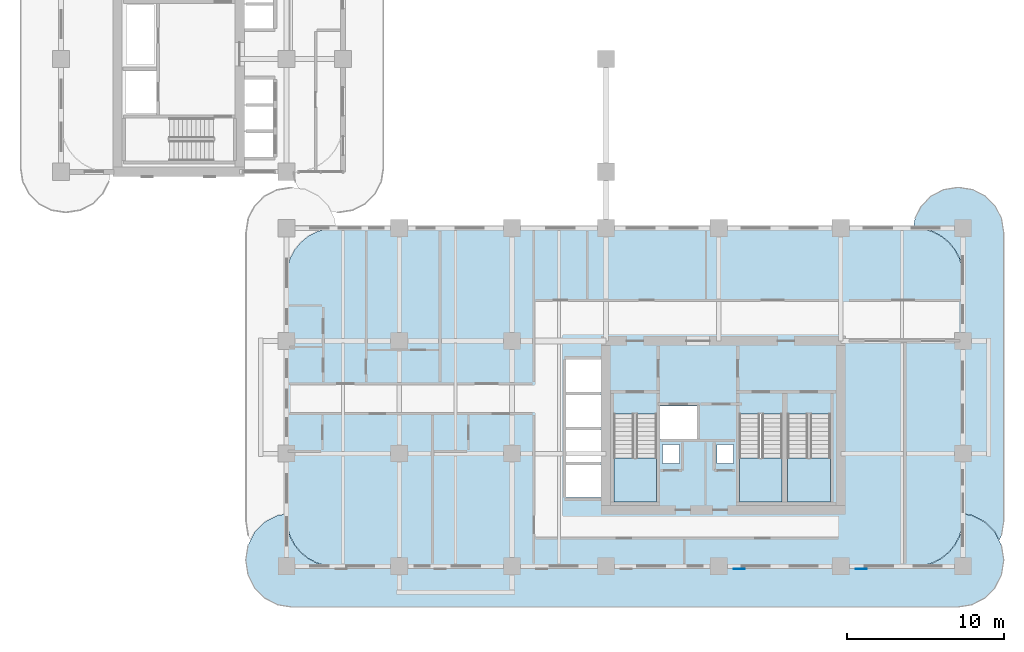
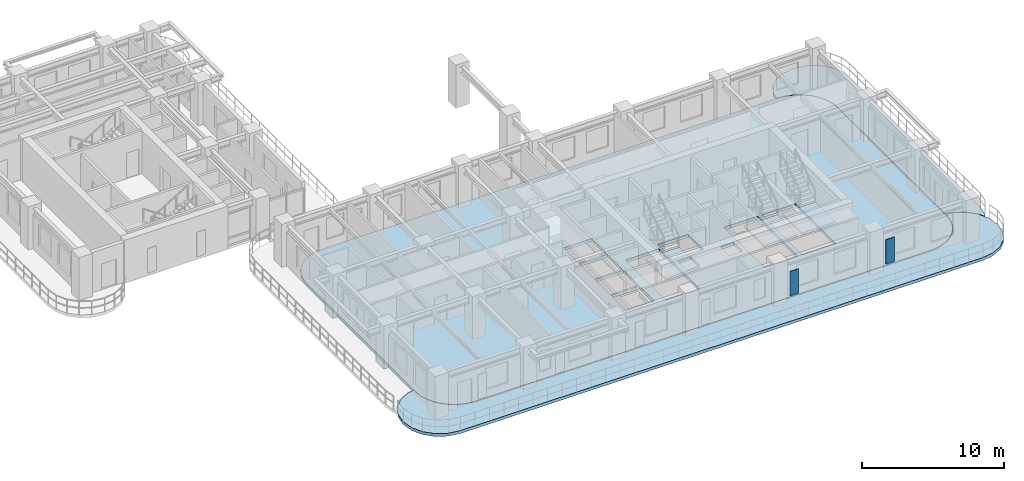
# One storey, part 5 of 19: 6 slabs, 2 plates, 3 elements without a shape of their own.
"""IFC4 building model written with IfcOpenShell, lengths in metres."""

import ifcopenshell
import ifcopenshell.guid

model = None  # the IFC model being written
_history = None  # IfcOwnerHistory: only IFC2X3 demands one
_inside = {}  # id of a spatial element -> (the spatial element, [elements in it])
_under = {}  # id of a project, library or spatial element -> (it, [spatial elements below it])
_declared = {}  # id of a project -> (the project, [libraries it declares])
_typed = {}  # id of a type object -> (the type object, [elements of that type])
_made_of = {}  # id of a material, layer set ... -> (it, [elements and type objects made of it])


def new_model(schema):
    """Start an empty IFC model of exactly this schema.

    Asked for "IFC4X3", IfcOpenShell would pick the latest addendum, in which some entities
    have other attributes; the version numbers below select the first issue.
    IFC2X3 requires an IfcOwnerHistory on every rooted entity: one is made here for all.
    """
    global model, _history
    if schema == "IFC4X3":
        model = ifcopenshell.file(schema_version=(4, 3, 0, 0))
    else:
        model = ifcopenshell.file(schema=schema)
    _inside.clear()
    _under.clear()
    _declared.clear()
    _typed.clear()
    _made_of.clear()
    _history = None
    if model.schema == "IFC2X3":
        org = make("IfcOrganization", Name="unknown")
        user = make(
            "IfcPersonAndOrganization",
            ThePerson=make("IfcPerson", FamilyName="unknown"),
            TheOrganization=org,
        )
        app = make(
            "IfcApplication",
            ApplicationDeveloper=org,
            Version="unknown",
            ApplicationFullName="unknown",
            ApplicationIdentifier="unknown",
        )
        _history = make(
            "IfcOwnerHistory",
            OwningUser=user,
            OwningApplication=app,
            ChangeAction="ADDED",
            CreationDate=0,
        )
    return model


def make(cls, **values):
    """One entity of the class cls with the attributes given. An attribute that is None is left unset."""
    return model.create_entity(
        cls, **{name: value for name, value in values.items() if value is not None}
    )


def rooted(cls, **values):
    """An entity with a GlobalId (a new one), such as an element, a storey or a relation."""
    return make(cls, GlobalId=ifcopenshell.guid.new(), OwnerHistory=_history, **values)


def si_unit(unit_type, name, prefix=None):
    """IfcSIUnit, for example si_unit("LENGTHUNIT", "METRE", prefix="MILLI")."""
    return make("IfcSIUnit", UnitType=unit_type, Prefix=prefix, Name=name)


def derived_unit(unit_type, elements):
    """IfcDerivedUnit: a product of units, each with its exponent."""
    return make(
        "IfcDerivedUnit",
        Elements=[
            make("IfcDerivedUnitElement", Unit=unit, Exponent=power)
            for unit, power in elements
        ],
        UnitType=unit_type,
    )


def assignment(units):
    """IfcUnitAssignment: the units of a project."""
    return None if units is None else make("IfcUnitAssignment", Units=units)


def point(xyz):
    """IfcCartesianPoint."""
    return None if xyz is None else make("IfcCartesianPoint", Coordinates=xyz)


def direction(xyz):
    """IfcDirection."""
    return None if xyz is None else make("IfcDirection", DirectionRatios=xyz)


def frame(location, z_axis=None, x_axis=None):
    """IfcAxis2Placement3D, a coordinate frame: its origin and axes. An axis left out is left unset."""
    return make(
        "IfcAxis2Placement3D",
        Location=point(location),
        Axis=direction(z_axis),
        RefDirection=direction(x_axis),
    )


def frame_2d(location, x_axis=None):
    """IfcAxis2Placement2D, a coordinate frame in the plane: its origin and x axis."""
    return make(
        "IfcAxis2Placement2D", Location=point(location), RefDirection=direction(x_axis)
    )


def origin():
    """The frame at (0, 0, 0) with its axes left unset."""
    return frame((0.0, 0.0, 0.0))


def origin_2d():
    """The frame at (0, 0) in the plane with its x axis left unset."""
    return frame_2d((0.0, 0.0))


def place(relative_to, where):
    """IfcLocalPlacement: puts the frame where relative to a parent placement (None: the world)."""
    return make(
        "IfcLocalPlacement", PlacementRelTo=relative_to, RelativePlacement=where
    )


def context(
    kind, dimensions, precision=None, world=None, true_north=None, identifier=None
):
    """IfcGeometricRepresentationContext, for example the 3D "Model" context."""
    return make(
        "IfcGeometricRepresentationContext",
        ContextIdentifier=identifier,
        ContextType=kind,
        CoordinateSpaceDimension=dimensions,
        Precision=precision,
        WorldCoordinateSystem=world,
        TrueNorth=true_north,
    )


def subcontext(parent, identifier, kind, view, scale=None):
    """IfcGeometricRepresentationSubContext, for example "Body" below "Model"."""
    return make(
        "IfcGeometricRepresentationSubContext",
        ContextIdentifier=identifier,
        ContextType=kind,
        ParentContext=parent,
        TargetScale=scale,
        TargetView=view,
    )


def project(units=None, contexts=None):
    """IfcProject with its units and contexts."""
    return rooted(
        "IfcProject",
        Name="project",
        RepresentationContexts=contexts,
        UnitsInContext=assignment(units),
    )


def spatial(cls, under=None, at=None, **own):
    """A site, building, storey or space (cls), placed at a placement, below another one or the project."""
    s = rooted(cls, ObjectPlacement=at, **own)
    if under is not None:
        _under.setdefault(under.id(), (under, []))[1].append(s)
    return s


def polyline(points):
    """IfcPolyline through the points."""
    return make("IfcPolyline", Points=[point(p) for p in points])


def profile(cls, at=None, kind="AREA", **sizes):
    """A parametric profile (cls). Its sizes go by their IFC names, for example OverallWidth=200.0."""
    return make(cls, ProfileType=kind, Position=at, **sizes)


def rectangle(**sizes):
    """IfcRectangleProfileDef."""
    return profile("IfcRectangleProfileDef", **sizes)


def outline(outer, holes=None, kind="AREA"):
    """IfcArbitraryClosedProfileDef: a profile drawn as a closed curve; with holes, ...WithVoids."""
    if holes is None:
        return make("IfcArbitraryClosedProfileDef", ProfileType=kind, OuterCurve=outer)
    return make(
        "IfcArbitraryProfileDefWithVoids",
        ProfileType=kind,
        OuterCurve=outer,
        InnerCurves=holes,
    )


def extrude(swept, where, along, depth):
    """IfcExtrudedAreaSolid: the profile swept, set in the frame where, extruded along a direction by depth."""
    return make(
        "IfcExtrudedAreaSolid",
        SweptArea=swept,
        Position=where,
        ExtrudedDirection=direction(along),
        Depth=depth,
    )


def shape(context_of_items, identifier, shape_type, items):
    """IfcShapeRepresentation: the items that make up one representation, for example the "Body"."""
    return make(
        "IfcShapeRepresentation",
        ContextOfItems=context_of_items,
        RepresentationIdentifier=identifier,
        RepresentationType=shape_type,
        Items=items,
    )


def source(mapping_origin, context_of_items, identifier, shape_type, items):
    """IfcRepresentationMap: a shape defined once, which mapped items show again and again."""
    return make(
        "IfcRepresentationMap",
        MappingOrigin=mapping_origin,
        MappedRepresentation=shape(context_of_items, identifier, shape_type, items),
    )


def transform(
    local_origin,
    x_axis=None,
    y_axis=None,
    z_axis=None,
    scale=None,
    scale2=None,
    scale3=None,
    uniform=True,
):
    """IfcCartesianTransformationOperator3D, or its non-uniform kind. x_axis, y_axis, z_axis: its Axis1, 2, 3."""
    if uniform:
        return make(
            "IfcCartesianTransformationOperator3D",
            Axis1=direction(x_axis),
            Axis2=direction(y_axis),
            LocalOrigin=point(local_origin),
            Scale=scale,
            Axis3=direction(z_axis),
        )
    return make(
        "IfcCartesianTransformationOperator3DnonUniform",
        Axis1=direction(x_axis),
        Axis2=direction(y_axis),
        LocalOrigin=point(local_origin),
        Scale=scale,
        Axis3=direction(z_axis),
        Scale2=scale2,
        Scale3=scale3,
    )


def mapped(mapping_source, mapping_target):
    """IfcMappedItem: shows the shape of a source again, moved by a transform."""
    return make(
        "IfcMappedItem", MappingSource=mapping_source, MappingTarget=mapping_target
    )


def material(Name=None, Category=None):
    """IfcMaterial."""
    return make("IfcMaterial", Name=Name, Category=Category)


def layer(
    of_material, thickness, ventilated=None, Name=None, Category=None, Priority=None
):
    """IfcMaterialLayer: one layer of a wall or slab, of a material (None: an air gap)."""
    return make(
        "IfcMaterialLayer",
        Material=of_material,
        LayerThickness=thickness,
        IsVentilated=ventilated,
        Name=Name,
        Category=Category,
        Priority=Priority,
    )


def layer_set(layers, Name=None):
    """IfcMaterialLayerSet."""
    return make("IfcMaterialLayerSet", MaterialLayers=layers, LayerSetName=Name)


def made_of(thing, what):
    """Note that an element or type object is made of a material, layer set ...; save() writes the relation."""
    if what is not None:
        _made_of.setdefault(what.id(), (what, []))[1].append(thing)
    return thing


def type_object(cls, material=None, **own):
    """A type object (cls), such as IfcWallType, which elements share."""
    return made_of(rooted(cls, **own), material)


def type_shapes(of_type, sources):
    """Give a type object the sources (RepresentationMaps) that its elements show as mapped items."""
    of_type.RepresentationMaps = sources


def element(
    cls,
    number,
    at=None,
    inside=None,
    cuts=None,
    type_object=None,
    material=None,
    context=None,
    identifier="Body",
    shape_type=None,
    held_by="IfcProductDefinitionShape",
    body=None,
    shapes=None,
    **own,
):
    """One element of the class cls, such as IfcWall. Its Tag is "e" and its number.

    at: its placement. inside: the storey or other place that contains it. cuts: it is an
    opening in that element (IfcRelVoidsElement). A single representation is given by context,
    identifier, shape_type and body (its items); several are given by shapes. held_by: the class
    of the entity that holds the representations. save() writes the other relations.
    """
    e = rooted(cls, Tag="e%d" % number, ObjectPlacement=at, **own)
    if body is not None:
        shapes = [shape(context, identifier, shape_type, body)]
    if shapes is not None:
        e.Representation = make(held_by, Representations=shapes)
    if inside is not None:
        _inside.setdefault(inside.id(), (inside, []))[1].append(e)
    if cuts is not None:
        rooted(
            "IfcRelVoidsElement", RelatingBuildingElement=cuts, RelatedOpeningElement=e
        )
    if type_object is not None:
        _typed.setdefault(type_object.id(), (type_object, []))[1].append(e)
    return made_of(e, material)


def aggregate(whole, parts):
    """IfcRelAggregates: a whole, such as a stair, and the parts it consists of."""
    return rooted("IfcRelAggregates", RelatingObject=whole, RelatedObjects=parts)


def save(model, path):
    """Write the relations noted so far, then the file.

    IfcRelAggregates (storeys below a building ...), IfcRelContainedInSpatialStructure (elements
    in a storey), IfcRelDefinesByType, IfcRelAssociatesMaterial and IfcRelDeclares: one each for
    every whole, place, type object, material and project.
    """
    for whole, parts in _under.values():
        aggregate(whole, parts)
    for where, things in _inside.values():
        rooted(
            "IfcRelContainedInSpatialStructure",
            RelatedElements=things,
            RelatingStructure=where,
        )
    for kind, things in _typed.values():
        rooted("IfcRelDefinesByType", RelatedObjects=things, RelatingType=kind)
    for what, things in _made_of.values():
        rooted("IfcRelAssociatesMaterial", RelatedObjects=things, RelatingMaterial=what)
    for by, libraries in _declared.values():
        rooted("IfcRelDeclares", RelatingContext=by, RelatedDefinitions=libraries)
    model.write(path)


model = new_model("IFC4")

# Units and contexts
model_context = context("Model", 3, precision=1e-05, world=origin(), true_north=direction((0.0, 1.0)))
body_context = subcontext(model_context, "Body", "Model", "MODEL_VIEW")
ifc_project = project(units=[si_unit("LENGTHUNIT", "METRE"), si_unit("AREAUNIT", "SQUARE_METRE"), si_unit("VOLUMEUNIT", "CUBIC_METRE"), si_unit("PLANEANGLEUNIT", "RADIAN"), si_unit("MASSUNIT", "GRAM", prefix="KILO"), si_unit("THERMODYNAMICTEMPERATUREUNIT", "KELVIN"), si_unit("POWERUNIT", "WATT"), derived_unit("THERMALTRANSMITTANCEUNIT", [(si_unit("POWERUNIT", "WATT"), 1), (si_unit("AREAUNIT", "SQUARE_METRE"), -1), (si_unit("THERMODYNAMICTEMPERATUREUNIT", "KELVIN"), -1)])], contexts=[model_context])

# Site, building, storey
site_placement = place(None, origin())
site = spatial("IfcSite", under=ifc_project, at=site_placement, CompositionType="ELEMENT")
building_placement = place(site_placement, origin())
building = spatial("IfcBuilding", under=site, at=building_placement, Name="Zahravan Archway Hotel and Residences", CompositionType="ELEMENT")
storey_placement = place(building_placement, frame((0.0, 0.0, 39.800048828125)))
storey = spatial("IfcBuildingStorey", under=building, at=storey_placement, Name="L08", CompositionType="ELEMENT", Elevation=39.800048828125)

# Slabs
ifc_material_1 = material(Name="Concrete C45/55", Category="concrete")
ifc_layer_1 = layer(ifc_material_1, 0.25, Name="Concrete C45/55", Category="concrete")
ifc_layer_set_1 = layer_set([ifc_layer_1], Name="Concrete C45/55")
slab_type_1 = type_object("IfcSlabType", Name="SLB-BALC-250", PredefinedType="FLOOR", material=ifc_layer_set_1)
slab_1_placement = place(storey_placement, frame((0.0, 0.0, -0.25)))
element("IfcSlab", 1, at=slab_1_placement, inside=storey, type_object=slab_type_1, Name="L08 Wing A South Rounded Balcony Band", PredefinedType="FLOOR", context=body_context, shape_type="SweptSolid", body=[
    extrude(outline(polyline([(58.16162109375, 3.255615234375), (58.98388671875, 2.836669921875), (59.63671875, 2.18408203125), (60.0556640625, 1.361572265625), (60.199951171875, 0.449951171875), (60.199951171875, 0.35009765625), (60.0556640625, -0.5615234375), (59.63671875, -1.384033203125), (58.98388671875, -2.03662109375), (58.16162109375, -2.45556640625), (57.25, -2.60009765625), (14.75, -2.60009765625), (13.83837890625, -2.45556640625), (13.01611328125, -2.03662109375), (12.36328125, -1.384033203125), (11.9443359375, -0.5615234375), (11.800048828125, 0.35009765625), (11.800048828125, 0.449951171875), (11.9443359375, 1.361572265625), (12.36328125, 2.18408203125), (13.01611328125, 2.836669921875), (13.83837890625, 3.255615234375), (14.3798828125, 3.34130859375), (14.3798828125, 3.10009765625), (14.380126953125, 3.097900390625), (14.439697265625, 2.4931640625), (14.43994140625, 2.4912109375), (14.4404296875, 2.489501953125), (14.616943359375, 1.907958984375), (14.617431640625, 1.906005859375), (14.618408203125, 1.904296875), (14.90478515625, 1.368408203125), (14.90576171875, 1.36669921875), (14.906982421875, 1.364990234375), (15.29248046875, 0.895263671875), (15.2939453125, 0.893798828125), (15.29541015625, 0.892578125), (15.764892578125, 0.5068359375), (15.7666015625, 0.505859375), (15.768310546875, 0.5048828125), (16.30419921875, 0.218505859375), (16.305908203125, 0.217529296875), (16.307861328125, 0.216796875), (16.889404296875, 0.04052734375), (16.891357421875, 0.0400390625), (16.893310546875, 0.039794921875), (17.498046875, -0.02001953125), (17.5, -0.02001953125), (54.5, -0.02001953125), (54.501953125, -0.02001953125), (55.106689453125, 0.039794921875), (55.108642578125, 0.0400390625), (55.110595703125, 0.04052734375), (55.692138671875, 0.216796875), (55.694091796875, 0.217529296875), (55.69580078125, 0.218505859375), (56.231689453125, 0.5048828125), (56.2333984375, 0.505859375), (56.235107421875, 0.5068359375), (56.70458984375, 0.892578125), (56.7060546875, 0.893798828125), (56.70751953125, 0.895263671875), (57.093017578125, 1.364990234375), (57.09423828125, 1.36669921875), (57.09521484375, 1.368408203125), (57.381591796875, 1.904296875), (57.382568359375, 1.906005859375), (57.383056640625, 1.907958984375), (57.5595703125, 2.489501953125), (57.56005859375, 2.4912109375), (57.560302734375, 2.4931640625), (57.619873046875, 3.097900390625), (57.6201171875, 3.10009765625), (57.6201171875, 3.34130859375), (58.16162109375, 3.255615234375)])), origin(), (0.0, 0.0, 1.0), 0.25),
])
slab_2_placement = place(storey_placement, frame((0.0, 0.0, -0.25)))
element("IfcSlab", 2, at=slab_2_placement, inside=storey, type_object=slab_type_1, Name="L08 Wing A East Rounded Balcony Band", PredefinedType="FLOOR", context=body_context, shape_type="SweptSolid", body=[
    extrude(outline(polyline([(54.53955078125, 22.230712890625), (54.9443359375, 23.025146484375), (55.57470703125, 23.65576171875), (56.369384765625, 24.060546875), (57.25, 24.199951171875), (57.35009765625, 24.199951171875), (58.230712890625, 24.060546875), (59.025146484375, 23.65576171875), (59.65576171875, 23.025146484375), (60.060546875, 22.230712890625), (60.199951171875, 21.35009765625), (60.199951171875, 2.85009765625), (60.060546875, 1.96923828125), (59.91455078125, 1.6826171875), (59.654296875, 2.193115234375), (59.6533203125, 2.19482421875), (59.652099609375, 2.196533203125), (59.650634765625, 2.197998046875), (58.998046875, 2.8505859375), (58.99658203125, 2.85205078125), (58.994873046875, 2.853515625), (58.9931640625, 2.8544921875), (58.170654296875, 3.2734375), (58.168701171875, 3.2744140625), (58.166748046875, 3.27490234375), (58.164794921875, 3.275390625), (57.623046875, 3.361083984375), (57.62109375, 3.361328125), (57.6201171875, 3.361328125), (57.6201171875, 18.5), (57.619873046875, 18.501953125), (57.560302734375, 19.106689453125), (57.56005859375, 19.108642578125), (57.5595703125, 19.110595703125), (57.383056640625, 19.692138671875), (57.382568359375, 19.694091796875), (57.381591796875, 19.69580078125), (57.09521484375, 20.231689453125), (57.09423828125, 20.2333984375), (57.093017578125, 20.235107421875), (56.70751953125, 20.70458984375), (56.7060546875, 20.7060546875), (56.70458984375, 20.70751953125), (56.235107421875, 21.093017578125), (56.2333984375, 21.09423828125), (56.231689453125, 21.09521484375), (55.69580078125, 21.381591796875), (55.694091796875, 21.382568359375), (55.692138671875, 21.383056640625), (55.110595703125, 21.5595703125), (55.108642578125, 21.56005859375), (55.106689453125, 21.560302734375), (54.501953125, 21.619873046875), (54.5, 21.6201171875), (54.44287109375, 21.6201171875), (54.53955078125, 22.230712890625)])), origin(), (0.0, 0.0, 1.0), 0.25),
])
ifc_layer_2 = layer(ifc_material_1, 0.25, Name="Concrete C45/55", Category="concrete")
ifc_layer_set_2 = layer_set([ifc_layer_2], Name="Concrete C45/55")
slab_type_2 = type_object("IfcSlabType", Name="SLB-FLR-250", PredefinedType="FLOOR", material=ifc_layer_set_2)
slab_3_placement = place(storey_placement, frame((0.0, 0.0, -0.25)))
element("IfcSlab", 3, at=slab_3_placement, inside=storey, type_object=slab_type_2, Name="L08 Floor Slab WA", PredefinedType="FLOOR", context=body_context, shape_type="SweptSolid", body=[
    extrude(outline(polyline([(54.5, 0.0), (55.104736328125, 0.0595703125), (55.686279296875, 0.236083984375), (56.222412109375, 0.5224609375), (56.69189453125, 0.907958984375), (57.07763671875, 1.377685546875), (57.364013671875, 1.913818359375), (57.540283203125, 2.4951171875), (57.60009765625, 3.10009765625), (57.60009765625, 18.5), (57.540283203125, 19.104736328125), (57.364013671875, 19.686279296875), (57.07763671875, 20.222412109375), (56.69189453125, 20.69189453125), (56.222412109375, 21.07763671875), (55.686279296875, 21.364013671875), (55.104736328125, 21.540283203125), (54.5, 21.60009765625), (17.5, 21.60009765625), (16.895263671875, 21.540283203125), (16.313720703125, 21.364013671875), (15.777587890625, 21.07763671875), (15.30810546875, 20.69189453125), (14.92236328125, 20.222412109375), (14.635986328125, 19.686279296875), (14.459716796875, 19.104736328125), (14.39990234375, 18.5), (14.39990234375, 3.10009765625), (14.459716796875, 2.4951171875), (14.635986328125, 1.913818359375), (14.92236328125, 1.377685546875), (15.30810546875, 0.907958984375), (15.777587890625, 0.5224609375), (16.313720703125, 0.236083984375), (16.895263671875, 0.0595703125), (17.5, 0.0), (54.5, 0.0)]), holes=[polyline([(35.300048828125, 9.72998046875), (35.300048828125, 4.10009765625), (38.0400390625, 4.10009765625), (38.0400390625, 9.72998046875), (35.300048828125, 9.72998046875)]), polyline([(43.320068359375, 9.72998046875), (43.320068359375, 4.10009765625), (46.06005859375, 4.10009765625), (46.06005859375, 9.72998046875), (43.320068359375, 9.72998046875)]), polyline([(46.39990234375, 9.72998046875), (46.39990234375, 4.10009765625), (49.139892578125, 4.10009765625), (49.139892578125, 9.72998046875), (46.39990234375, 9.72998046875)]), polyline([(38.179931640625, 8.14990234375), (40.699951171875, 8.14990234375), (40.699951171875, 10.25), (38.179931640625, 10.25), (38.179931640625, 8.14990234375)]), polyline([(32.25, 4.39990234375), (34.550048828125, 4.39990234375), (34.550048828125, 6.47998046875), (32.25, 6.47998046875), (32.25, 4.39990234375)]), polyline([(32.25, 6.639892578125), (34.550048828125, 6.639892578125), (34.550048828125, 8.719970703125), (32.25, 8.719970703125), (32.25, 6.639892578125)]), polyline([(32.25, 8.8798828125), (34.550048828125, 8.8798828125), (34.550048828125, 10.9599609375), (32.25, 10.9599609375), (32.25, 8.8798828125)]), polyline([(32.25, 11.1201171875), (34.550048828125, 11.1201171875), (34.550048828125, 13.199951171875), (32.25, 13.199951171875), (32.25, 11.1201171875)]), polyline([(38.419921875, 6.56005859375), (39.5, 6.56005859375), (39.5, 7.780029296875), (38.419921875, 7.780029296875), (38.419921875, 6.56005859375)]), polyline([(41.89990234375, 6.56005859375), (42.9599609375, 6.56005859375), (42.9599609375, 7.780029296875), (41.89990234375, 7.780029296875), (41.89990234375, 6.56005859375)])]), origin(), (0.0, 0.0, 1.0), 0.25),
])

# Stair, slab
ifc_material_2 = material(Name="Concrete C50/60", Category="concrete")
stair_type = type_object("IfcStairType", Name="STR-CORE-1300", PredefinedType="HALF_TURN_STAIR", material=ifc_material_2)
stair_1_placement = place(storey_placement, origin())
stair_1 = element("IfcStair", 4, at=stair_1_placement, inside=storey, type_object=stair_type, Name="L08 Core A Exit Stair 1", PredefinedType="HALF_TURN_STAIR")
ifc_layer_3 = layer(ifc_material_2, 0.199951171875, Name="Concrete C50/60", Category="concrete")
ifc_layer_set_3 = layer_set([ifc_layer_3], Name="Concrete C50/60")
slab_type_3 = type_object("IfcSlabType", Name="SLB-LND-200", PredefinedType="LANDING", material=ifc_layer_set_3)
slab_4_placement = place(storey_placement, frame((0.0, 0.0, 1.64990234375)))
slab_4 = element("IfcSlab", 5, at=slab_4_placement, type_object=slab_type_3, Name="ST-A1 landing 1", PredefinedType="LANDING", context=body_context, shape_type="SweptSolid", body=[
    extrude(outline(polyline([(35.300048828125, 6.929931640625), (35.300048828125, 4.10009765625), (38.0400390625, 4.10009765625), (38.0400390625, 6.929931640625), (35.300048828125, 6.929931640625)])), origin(), (0.0, 0.0, 1.0), 0.199951171875),
])
aggregate(stair_1, [slab_4])

stair_2_placement = place(storey_placement, origin())
stair_2 = element("IfcStair", 6, at=stair_2_placement, inside=storey, type_object=stair_type, Name="L08 Core A Exit Stair 2", PredefinedType="HALF_TURN_STAIR")
slab_5_placement = place(storey_placement, frame((0.0, 0.0, 1.64990234375)))
slab_5 = element("IfcSlab", 7, at=slab_5_placement, type_object=slab_type_3, Name="ST-A2 landing 1", PredefinedType="LANDING", context=body_context, shape_type="SweptSolid", body=[
    extrude(outline(polyline([(43.320068359375, 6.929931640625), (43.320068359375, 4.10009765625), (46.06005859375, 4.10009765625), (46.06005859375, 6.929931640625), (43.320068359375, 6.929931640625)])), origin(), (0.0, 0.0, 1.0), 0.199951171875),
])
aggregate(stair_2, [slab_5])

stair_3_placement = place(storey_placement, origin())
stair_3 = element("IfcStair", 8, at=stair_3_placement, inside=storey, type_object=stair_type, Name="L08 Core A Exit Stair 3", PredefinedType="HALF_TURN_STAIR")
slab_6_placement = place(storey_placement, frame((0.0, 0.0, 1.64990234375)))
slab_6 = element("IfcSlab", 9, at=slab_6_placement, type_object=slab_type_3, Name="ST-A3 landing 1", PredefinedType="LANDING", context=body_context, shape_type="SweptSolid", body=[
    extrude(outline(polyline([(46.39990234375, 6.929931640625), (46.39990234375, 4.10009765625), (49.139892578125, 4.10009765625), (49.139892578125, 6.929931640625), (46.39990234375, 6.929931640625)])), origin(), (0.0, 0.0, 1.0), 0.199951171875),
])
aggregate(stair_3, [slab_6])

# Plates
ifc_material_3 = material(Name="Perforated Cast Bronze Jali Lattice")
ifc_layer_4 = layer(ifc_material_3, 0.044921875, Name="Perforated Cast Bronze Jali Lattice")
ifc_layer_set_4 = layer_set([ifc_layer_4], Name="Perforated Cast Bronze Jali Lattice")
plate_type = type_object("IfcPlateType", Name="PLT-JALI-BAY", PredefinedType="USERDEFINED", material=ifc_layer_set_4)
shared_shape = source(origin(), body_context, "Body", "SweptSolid", [
    extrude(rectangle(XDim=0.699951171875, YDim=0.044921875, at=origin_2d()), origin(), (0.0, 0.0, 1.0), 2.10009765625),
])
type_shapes(plate_type, [shared_shape])
for number, where, z_axis, x_axis, name in (
    (10, (43.300048828125, -0.177978515625, 0.25), (0.0, 0.0, 1.0), (1.0, 0.0, 0.0), "L08 Perforated Bronze Jali Pier Screen 05"),
    (11, (51.10009765625, -0.177978515625, 0.25), (0.0, 0.0, 1.0), (1.0, 0.0, 0.0), "L08 Perforated Bronze Jali Pier Screen 06"),
):
    element("IfcPlate", number, at=place(storey_placement, frame(where, z_axis=z_axis, x_axis=x_axis)), inside=storey, type_object=plate_type, Name=name, ObjectType="SCREEN", PredefinedType="USERDEFINED", context=body_context, shape_type="MappedRepresentation", body=[
        mapped(shared_shape, transform((0.0, 0.0, 0.0), scale=1.0)),
    ])

save(model, "model.ifc")
